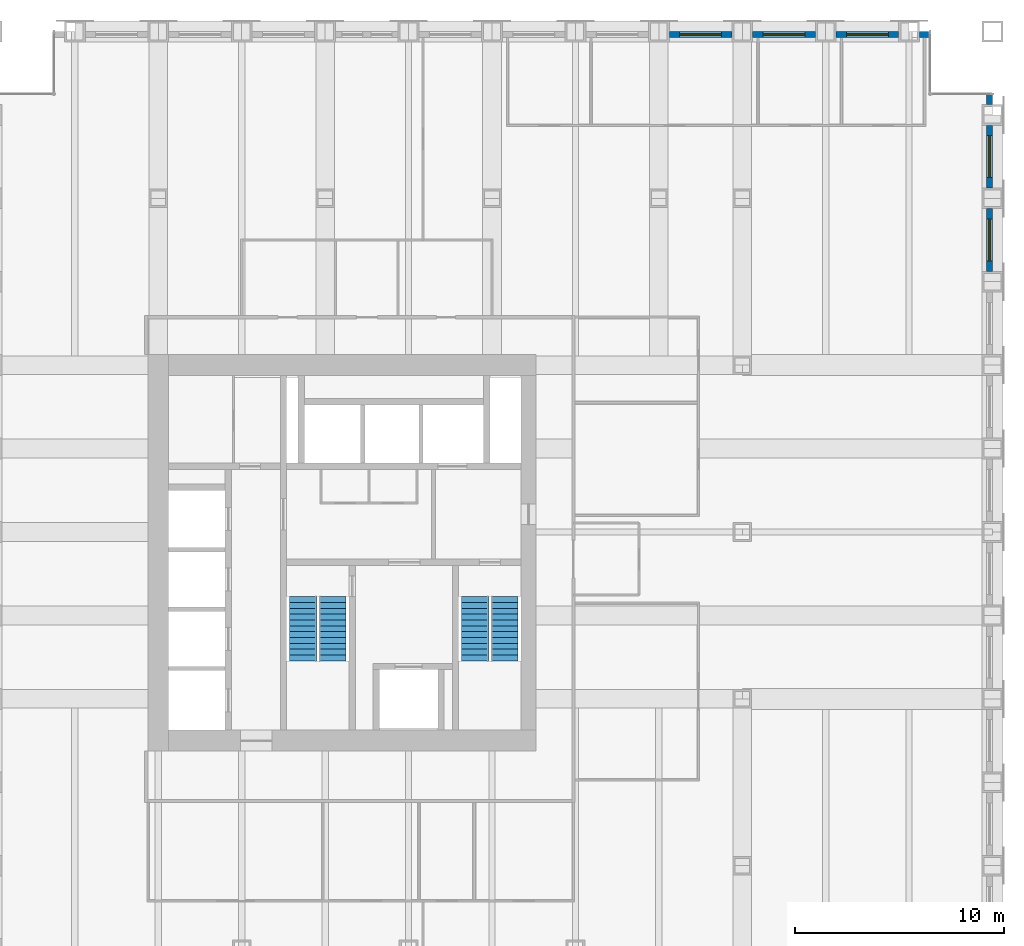
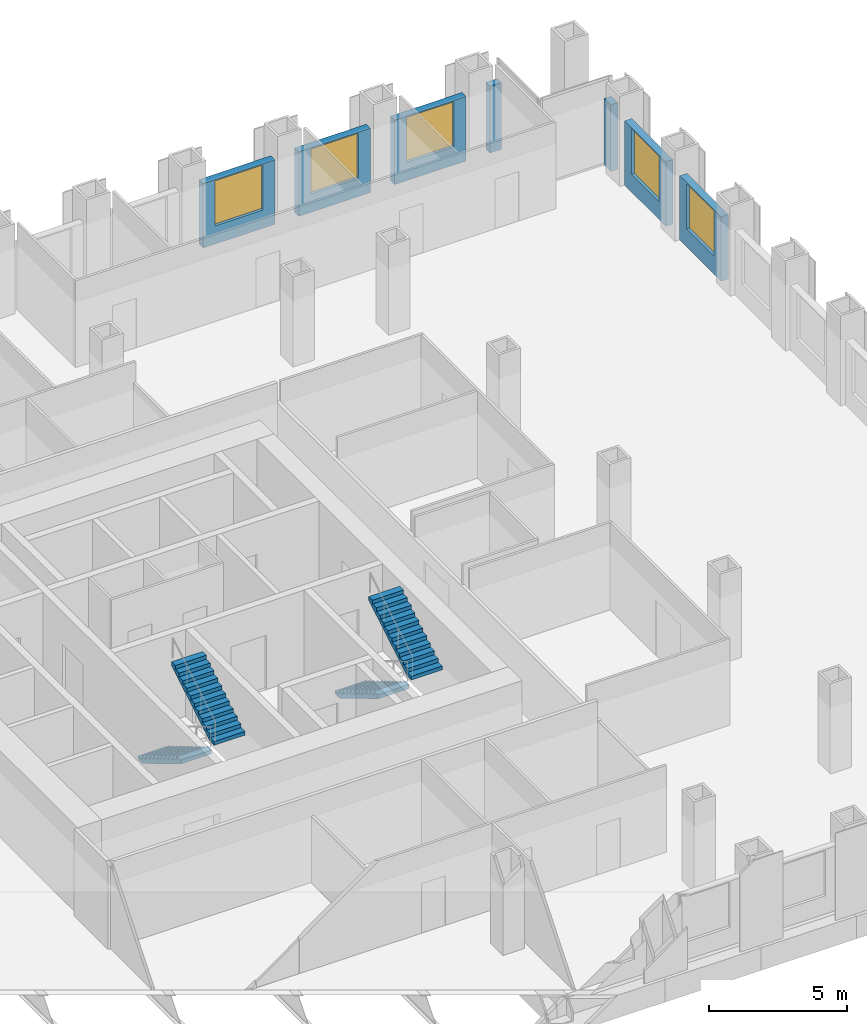
# One storey, part 14 of 15: 7 walls, 5 windows, 4 stair flights, 5 openings, 2 elements without a shape of their own.
"""IFC4 building model written with IfcOpenShell, lengths in metres."""

from ifc_helpers import new_model, si_unit, direction, frame, frame_2d, origin, place, context, subcontext, project, spatial, polyline, rectangle, outline, extrude, material, layer, layer_set, type_object, element, fill, aggregate, save


model = new_model("IFC4")

# Units and contexts
model_context = context("Model", 3, precision=1e-05, world=origin(), true_north=direction((0.0, 1.0)))
body_context = subcontext(model_context, "Body", "Model", "MODEL_VIEW")
ifc_project = project(units=[si_unit("LENGTHUNIT", "METRE"), si_unit("AREAUNIT", "SQUARE_METRE"), si_unit("VOLUMEUNIT", "CUBIC_METRE"), si_unit("PLANEANGLEUNIT", "RADIAN"), si_unit("MASSUNIT", "GRAM", prefix="KILO")], contexts=[model_context])

# Site, building, storey
site_placement = place(None, origin())
site = spatial("IfcSite", under=ifc_project, at=site_placement, CompositionType="ELEMENT")
building_placement = place(site_placement, origin())
building = spatial("IfcBuilding", under=site, at=building_placement, Name="Rimbunsela Tower", CompositionType="ELEMENT")
storey_placement = place(building_placement, frame((0.0, 0.0, 113.39990234375)))
storey = spatial("IfcBuildingStorey", under=building, at=storey_placement, Name="L27", CompositionType="ELEMENT", Elevation=113.39990234375)

# Wall, opening, window
ifc_material_1 = material(Name="Precast concrete fc' 35 MPa", Category="concrete")
ifc_layer = layer(ifc_material_1, 0.300048828125)
ifc_layer_set = layer_set([ifc_layer], Name="Precast concrete fc' 35 MPa")
wall_type = type_object("IfcWallType", Name="Precast facade panel 300", PredefinedType="ELEMENTEDWALL", material=ifc_layer_set)
wall_1_placement = place(storey_placement, frame((57.85009765625, 40.5, 0.0), z_axis=(0.0, 0.0, 1.0), x_axis=(0.0, 1.0, 0.0)))
wall_1 = element("IfcWall", 1, at=wall_1_placement, inside=storey, type_object=wall_type, Name="Facade panel E L27", PredefinedType="ELEMENTEDWALL", context=body_context, shape_type="SweptSolid", body=[
    extrude(rectangle(XDim=3.0, YDim=0.300048828125, at=frame_2d((1.5, 0.0))), origin(), (0.0, 0.0, 1.0), 2.85009765625),
])
opening_1_placement = place(wall_1_placement, frame((0.5, 0.0, 0.800048828125)))
opening_1 = element("IfcOpeningElement", 2, at=opening_1_placement, cuts=wall_1, Name="Opening W1", PredefinedType="OPENING", context=body_context, shape_type="SweptSolid", body=[
    extrude(rectangle(XDim=2.0, YDim=2.0, at=frame_2d((1.0, 1.0))), frame((0.0, 0.159912109375, 0.0), z_axis=(0.0, -1.0, 0.0), x_axis=(1.0, 0.0, 0.0)), (0.0, 0.0, 1.0), 0.320068359375),
])
ifc_material_2 = material(Name="Clear glass in aluminium frame", Category="aluminium")
window_type = type_object("IfcWindowType", Name="Window W1 2000x2000", PartitioningType="DOUBLE_PANEL_VERTICAL", PredefinedType="WINDOW", material=ifc_material_2)
window_1_placement = place(opening_1_placement, origin())
window_1 = element("IfcWindow", 3, at=window_1_placement, inside=storey, type_object=window_type, Name="Window L27", OverallHeight=2.0, OverallWidth=2.0, PartitioningType="SINGLE_PANEL", PredefinedType="WINDOW", context=body_context, shape_type="SweptSolid", body=[
    extrude(rectangle(XDim=2.0, YDim=2.0, at=frame_2d((1.0, 1.0))), frame((0.0, 0.030029296875, 0.0), z_axis=(0.0, -1.0, 0.0), x_axis=(1.0, 0.0, 0.0)), (0.0, 0.0, 1.0), 0.06005859375),
])
fill(opening_1, window_1)

wall_2_placement = place(storey_placement, frame((57.85009765625, 44.5, 0.0), z_axis=(0.0, 0.0, 1.0), x_axis=(0.0, 1.0, 0.0)))
wall_2 = element("IfcWall", 4, at=wall_2_placement, inside=storey, type_object=wall_type, Name="Facade panel E L27", PredefinedType="ELEMENTEDWALL", context=body_context, shape_type="SweptSolid", body=[
    extrude(rectangle(XDim=3.0, YDim=0.300048828125, at=frame_2d((1.5, 0.0))), origin(), (0.0, 0.0, 1.0), 2.85009765625),
])
opening_2_placement = place(wall_2_placement, frame((0.5, 0.0, 0.800048828125)))
opening_2 = element("IfcOpeningElement", 5, at=opening_2_placement, cuts=wall_2, Name="Opening W1", PredefinedType="OPENING", context=body_context, shape_type="SweptSolid", body=[
    extrude(rectangle(XDim=2.0, YDim=2.0, at=frame_2d((1.0, 1.0))), frame((0.0, 0.159912109375, 0.0), z_axis=(0.0, -1.0, 0.0), x_axis=(1.0, 0.0, 0.0)), (0.0, 0.0, 1.0), 0.320068359375),
])
window_2_placement = place(opening_2_placement, origin())
window_2 = element("IfcWindow", 6, at=window_2_placement, inside=storey, type_object=window_type, Name="Window L27", OverallHeight=2.0, OverallWidth=2.0, PartitioningType="SINGLE_PANEL", PredefinedType="WINDOW", context=body_context, shape_type="SweptSolid", body=[
    extrude(rectangle(XDim=2.0, YDim=2.0, at=frame_2d((1.0, 1.0))), frame((0.0, 0.030029296875, 0.0), z_axis=(0.0, -1.0, 0.0), x_axis=(1.0, 0.0, 0.0)), (0.0, 0.0, 1.0), 0.06005859375),
])
fill(opening_2, window_2)

# Wall
wall_3_placement = place(storey_placement, frame((57.85009765625, 48.5, 0.0), z_axis=(0.0, 0.0, 1.0), x_axis=(0.0, 1.0, 0.0)))
element("IfcWall", 7, at=wall_3_placement, inside=storey, type_object=wall_type, Name="Facade panel E L27", PredefinedType="ELEMENTEDWALL", context=body_context, shape_type="SweptSolid", body=[
    extrude(rectangle(XDim=0.469970703125, YDim=0.300048828125, at=frame_2d((0.23486328125, 0.0))), origin(), (0.0, 0.0, 1.0), 2.9501953125),
])

# Wall, opening, window
wall_4_placement = place(storey_placement, frame((45.5, 51.85009765625, 0.0), z_axis=(0.0, 0.0, 1.0), x_axis=(-1.0, 0.0, 0.0)))
wall_4 = element("IfcWall", 8, at=wall_4_placement, inside=storey, type_object=wall_type, Name="Facade panel N L27", PredefinedType="ELEMENTEDWALL", context=body_context, shape_type="SweptSolid", body=[
    extrude(rectangle(XDim=3.0, YDim=0.300048828125, at=frame_2d((1.5, 0.0))), origin(), (0.0, 0.0, 1.0), 2.85009765625),
])
opening_3_placement = place(wall_4_placement, frame((0.5, 0.0, 0.800048828125)))
opening_3 = element("IfcOpeningElement", 9, at=opening_3_placement, cuts=wall_4, Name="Opening W1", PredefinedType="OPENING", context=body_context, shape_type="SweptSolid", body=[
    extrude(rectangle(XDim=2.0, YDim=2.0, at=frame_2d((1.0, 1.0))), frame((0.0, 0.159912109375, 0.0), z_axis=(0.0, -1.0, 0.0), x_axis=(1.0, 0.0, 0.0)), (0.0, 0.0, 1.0), 0.320068359375),
])
window_3_placement = place(opening_3_placement, origin())
window_3 = element("IfcWindow", 10, at=window_3_placement, inside=storey, type_object=window_type, Name="Window L27", OverallHeight=2.0, OverallWidth=2.0, PartitioningType="SINGLE_PANEL", PredefinedType="WINDOW", context=body_context, shape_type="SweptSolid", body=[
    extrude(rectangle(XDim=2.0, YDim=2.0, at=frame_2d((1.0, 1.0))), frame((0.0, 0.030029296875, 0.0), z_axis=(0.0, -1.0, 0.0), x_axis=(1.0, 0.0, 0.0)), (0.0, 0.0, 1.0), 0.06005859375),
])
fill(opening_3, window_3)

wall_5_placement = place(storey_placement, frame((49.5, 51.85009765625, 0.0), z_axis=(0.0, 0.0, 1.0), x_axis=(-1.0, 0.0, 0.0)))
wall_5 = element("IfcWall", 11, at=wall_5_placement, inside=storey, type_object=wall_type, Name="Facade panel N L27", PredefinedType="ELEMENTEDWALL", context=body_context, shape_type="SweptSolid", body=[
    extrude(rectangle(XDim=3.0, YDim=0.300048828125, at=frame_2d((1.5, 0.0))), origin(), (0.0, 0.0, 1.0), 2.85009765625),
])
opening_4_placement = place(wall_5_placement, frame((0.5, 0.0, 0.800048828125)))
opening_4 = element("IfcOpeningElement", 12, at=opening_4_placement, cuts=wall_5, Name="Opening W1", PredefinedType="OPENING", context=body_context, shape_type="SweptSolid", body=[
    extrude(rectangle(XDim=2.0, YDim=2.0, at=frame_2d((1.0, 1.0))), frame((0.0, 0.159912109375, 0.0), z_axis=(0.0, -1.0, 0.0), x_axis=(1.0, 0.0, 0.0)), (0.0, 0.0, 1.0), 0.320068359375),
])
window_4_placement = place(opening_4_placement, origin())
window_4 = element("IfcWindow", 13, at=window_4_placement, inside=storey, type_object=window_type, Name="Window L27", OverallHeight=2.0, OverallWidth=2.0, PartitioningType="SINGLE_PANEL", PredefinedType="WINDOW", context=body_context, shape_type="SweptSolid", body=[
    extrude(rectangle(XDim=2.0, YDim=2.0, at=frame_2d((1.0, 1.0))), frame((0.0, 0.030029296875, 0.0), z_axis=(0.0, -1.0, 0.0), x_axis=(1.0, 0.0, 0.0)), (0.0, 0.0, 1.0), 0.06005859375),
])
fill(opening_4, window_4)

wall_6_placement = place(storey_placement, frame((53.5, 51.85009765625, 0.0), z_axis=(0.0, 0.0, 1.0), x_axis=(-1.0, 0.0, 0.0)))
wall_6 = element("IfcWall", 14, at=wall_6_placement, inside=storey, type_object=wall_type, Name="Facade panel N L27", PredefinedType="ELEMENTEDWALL", context=body_context, shape_type="SweptSolid", body=[
    extrude(rectangle(XDim=3.0, YDim=0.300048828125, at=frame_2d((1.5, 0.0))), origin(), (0.0, 0.0, 1.0), 2.85009765625),
])
opening_5_placement = place(wall_6_placement, frame((0.5, 0.0, 0.800048828125)))
opening_5 = element("IfcOpeningElement", 15, at=opening_5_placement, cuts=wall_6, Name="Opening W1", PredefinedType="OPENING", context=body_context, shape_type="SweptSolid", body=[
    extrude(rectangle(XDim=2.0, YDim=2.0, at=frame_2d((1.0, 1.0))), frame((0.0, 0.159912109375, 0.0), z_axis=(0.0, -1.0, 0.0), x_axis=(1.0, 0.0, 0.0)), (0.0, 0.0, 1.0), 0.320068359375),
])
window_5_placement = place(opening_5_placement, origin())
window_5 = element("IfcWindow", 16, at=window_5_placement, inside=storey, type_object=window_type, Name="Window L27", OverallHeight=2.0, OverallWidth=2.0, PartitioningType="SINGLE_PANEL", PredefinedType="WINDOW", context=body_context, shape_type="SweptSolid", body=[
    extrude(rectangle(XDim=2.0, YDim=2.0, at=frame_2d((1.0, 1.0))), frame((0.0, 0.030029296875, 0.0), z_axis=(0.0, -1.0, 0.0), x_axis=(1.0, 0.0, 0.0)), (0.0, 0.0, 1.0), 0.06005859375),
])
fill(opening_5, window_5)

# Wall
wall_7_placement = place(storey_placement, frame((54.969970703125, 51.85009765625, 0.0), z_axis=(0.0, 0.0, 1.0), x_axis=(-1.0, 0.0, 0.0)))
element("IfcWall", 17, at=wall_7_placement, inside=storey, type_object=wall_type, Name="Facade panel N L27", PredefinedType="ELEMENTEDWALL", context=body_context, shape_type="SweptSolid", body=[
    extrude(rectangle(XDim=0.469970703125, YDim=0.300048828125, at=frame_2d((0.23486328125, 0.0))), origin(), (0.0, 0.0, 1.0), 2.9501953125),
])

# Stair, stair flights
ifc_material_3 = material(Name="Concrete fc' 35 MPa", Category="concrete")
stair_type = type_object("IfcStairType", Name="Exit stair 24 risers", PredefinedType="HALF_TURN_STAIR", material=ifc_material_3)
stair_1_placement = place(storey_placement, origin())
stair_1 = element("IfcStair", 18, at=stair_1_placement, inside=storey, type_object=stair_type, Name="Exit stair A L27", PredefinedType="HALF_TURN_STAIR")
ifc_material_4 = material(Name="Concrete fc' 35 MPa", Category="concrete")
stair_flight_type = type_object("IfcStairFlightType", Name="Stair flight 12 risers 167", PredefinedType="STRAIGHT", material=ifc_material_4)
stair_flight_1_placement = place(storey_placement, frame((24.949951171875, 24.89990234375, 0.0), z_axis=(0.0, 0.0, 1.0), x_axis=(0.0, -1.0, 0.0)))
stair_flight_1 = element("IfcStairFlight", 19, at=stair_flight_1_placement, type_object=stair_flight_type, Name="ST-A flight 1", NumberOfRisers=12, NumberOfTreads=11, PredefinedType="STRAIGHT", RiserHeight=0.166666667, TreadLength=0.28, context=body_context, shape_type="SweptSolid", body=[
    extrude(outline(polyline([(0.0, 0.0), (0.0, 0.166748046875), (0.280029296875, 0.166748046875), (0.280029296875, 0.333251953125), (0.56005859375, 0.333251953125), (0.56005859375, 0.5), (0.840087890625, 0.5), (0.840087890625, 0.666748046875), (1.1201171875, 0.666748046875), (1.1201171875, 0.833251953125), (1.39990234375, 0.833251953125), (1.39990234375, 1.0), (1.679931640625, 1.0), (1.679931640625, 1.166748046875), (1.9599609375, 1.166748046875), (1.9599609375, 1.333251953125), (2.239990234375, 1.333251953125), (2.239990234375, 1.5), (2.52001953125, 1.5), (2.52001953125, 1.666748046875), (2.800048828125, 1.666748046875), (2.800048828125, 1.833251953125), (3.080078125, 1.833251953125), (3.080078125, 2.0), (3.080078125, 1.658935546875), (0.29296875, 0.0), (0.0, 0.0)])), frame((0.0, 0.64990234375, 0.0), z_axis=(0.0, -1.0, 0.0), x_axis=(1.0, 0.0, 0.0)), (0.0, 0.0, 1.0), 1.300048828125),
])
stair_flight_2_placement = place(storey_placement, frame((26.35009765625, 21.820068359375, 2.0), z_axis=(0.0, 0.0, 1.0), x_axis=(0.0, 1.0, 0.0)))
stair_flight_2 = element("IfcStairFlight", 20, at=stair_flight_2_placement, type_object=stair_flight_type, Name="ST-A flight 2", NumberOfRisers=12, NumberOfTreads=11, PredefinedType="STRAIGHT", RiserHeight=0.166666667, TreadLength=0.28, context=body_context, shape_type="SweptSolid", body=[
    extrude(outline(polyline([(0.0, 0.0), (0.0, 0.166748046875), (0.280029296875, 0.166748046875), (0.280029296875, 0.333251953125), (0.56005859375, 0.333251953125), (0.56005859375, 0.5), (0.840087890625, 0.5), (0.840087890625, 0.666748046875), (1.1201171875, 0.666748046875), (1.1201171875, 0.833251953125), (1.39990234375, 0.833251953125), (1.39990234375, 1.0), (1.679931640625, 1.0), (1.679931640625, 1.166748046875), (1.9599609375, 1.166748046875), (1.9599609375, 1.333251953125), (2.239990234375, 1.333251953125), (2.239990234375, 1.5), (2.52001953125, 1.5), (2.52001953125, 1.666748046875), (2.800048828125, 1.666748046875), (2.800048828125, 1.833251953125), (3.080078125, 1.833251953125), (3.080078125, 2.0), (3.080078125, 1.658935546875), (0.29296875, 0.0), (0.0, 0.0)])), frame((0.0, 0.64990234375, 0.0), z_axis=(0.0, -1.0, 0.0), x_axis=(1.0, 0.0, 0.0)), (0.0, 0.0, 1.0), 1.300048828125),
])
aggregate(stair_1, [stair_flight_1, stair_flight_2])

stair_2_placement = place(storey_placement, origin())
stair_2 = element("IfcStair", 21, at=stair_2_placement, inside=storey, type_object=stair_type, Name="Exit stair B L27", PredefinedType="HALF_TURN_STAIR")
stair_flight_3_placement = place(storey_placement, frame((33.199951171875, 24.89990234375, 0.0), z_axis=(0.0, 0.0, 1.0), x_axis=(0.0, -1.0, 0.0)))
stair_flight_3 = element("IfcStairFlight", 22, at=stair_flight_3_placement, type_object=stair_flight_type, Name="ST-B flight 1", NumberOfRisers=12, NumberOfTreads=11, PredefinedType="STRAIGHT", RiserHeight=0.166666667, TreadLength=0.28, context=body_context, shape_type="SweptSolid", body=[
    extrude(outline(polyline([(0.0, 0.0), (0.0, 0.166748046875), (0.280029296875, 0.166748046875), (0.280029296875, 0.333251953125), (0.56005859375, 0.333251953125), (0.56005859375, 0.5), (0.840087890625, 0.5), (0.840087890625, 0.666748046875), (1.1201171875, 0.666748046875), (1.1201171875, 0.833251953125), (1.39990234375, 0.833251953125), (1.39990234375, 1.0), (1.679931640625, 1.0), (1.679931640625, 1.166748046875), (1.9599609375, 1.166748046875), (1.9599609375, 1.333251953125), (2.239990234375, 1.333251953125), (2.239990234375, 1.5), (2.52001953125, 1.5), (2.52001953125, 1.666748046875), (2.800048828125, 1.666748046875), (2.800048828125, 1.833251953125), (3.080078125, 1.833251953125), (3.080078125, 2.0), (3.080078125, 1.658935546875), (0.29296875, 0.0), (0.0, 0.0)])), frame((0.0, 0.64990234375, 0.0), z_axis=(0.0, -1.0, 0.0), x_axis=(1.0, 0.0, 0.0)), (0.0, 0.0, 1.0), 1.300048828125),
])
stair_flight_4_placement = place(storey_placement, frame((34.60009765625, 21.820068359375, 2.0), z_axis=(0.0, 0.0, 1.0), x_axis=(0.0, 1.0, 0.0)))
stair_flight_4 = element("IfcStairFlight", 23, at=stair_flight_4_placement, type_object=stair_flight_type, Name="ST-B flight 2", NumberOfRisers=12, NumberOfTreads=11, PredefinedType="STRAIGHT", RiserHeight=0.166666667, TreadLength=0.28, context=body_context, shape_type="SweptSolid", body=[
    extrude(outline(polyline([(0.0, 0.0), (0.0, 0.166748046875), (0.280029296875, 0.166748046875), (0.280029296875, 0.333251953125), (0.56005859375, 0.333251953125), (0.56005859375, 0.5), (0.840087890625, 0.5), (0.840087890625, 0.666748046875), (1.1201171875, 0.666748046875), (1.1201171875, 0.833251953125), (1.39990234375, 0.833251953125), (1.39990234375, 1.0), (1.679931640625, 1.0), (1.679931640625, 1.166748046875), (1.9599609375, 1.166748046875), (1.9599609375, 1.333251953125), (2.239990234375, 1.333251953125), (2.239990234375, 1.5), (2.52001953125, 1.5), (2.52001953125, 1.666748046875), (2.800048828125, 1.666748046875), (2.800048828125, 1.833251953125), (3.080078125, 1.833251953125), (3.080078125, 2.0), (3.080078125, 1.658935546875), (0.29296875, 0.0), (0.0, 0.0)])), frame((0.0, 0.64990234375, 0.0), z_axis=(0.0, -1.0, 0.0), x_axis=(1.0, 0.0, 0.0)), (0.0, 0.0, 1.0), 1.300048828125),
])
aggregate(stair_2, [stair_flight_3, stair_flight_4])

save(model, "model.ifc")
